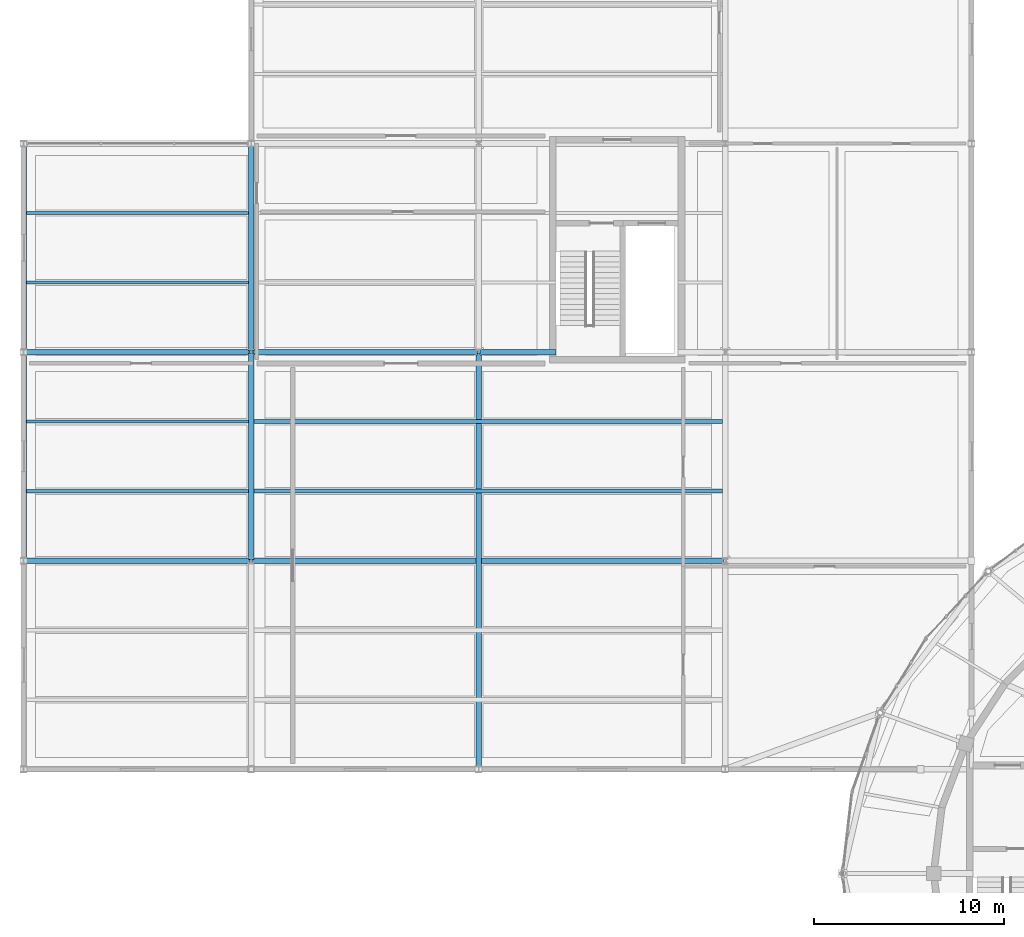
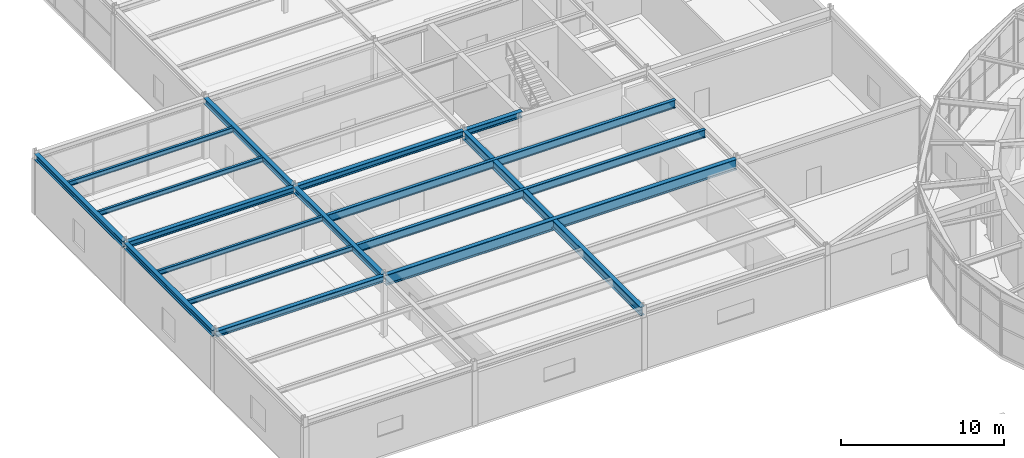
# One storey, part 51 of 108: 16 beams.
"""IFC4 building model written with IfcOpenShell, lengths in metres."""

from ifc_helpers import new_model, si_unit, direction, frame, origin, origin_2d, place, context, subcontext, project, spatial, i_section, extrude, material, material_profile, profile_set, type_object, element, save


model = new_model("IFC4")

# Units and contexts
model_context = context("Model", 3, precision=1e-05, world=origin(), true_north=direction((0.0, 1.0)))
body_context = subcontext(model_context, "Body", "Model", "MODEL_VIEW")
ifc_project = project(units=[si_unit("LENGTHUNIT", "METRE"), si_unit("AREAUNIT", "SQUARE_METRE"), si_unit("VOLUMEUNIT", "CUBIC_METRE"), si_unit("PLANEANGLEUNIT", "RADIAN"), si_unit("MASSUNIT", "GRAM", prefix="KILO")], contexts=[model_context])

# Site, building, storey
site_placement = place(None, origin())
site = spatial("IfcSite", under=ifc_project, at=site_placement, CompositionType="ELEMENT")
building_placement = place(site_placement, origin())
building = spatial("IfcBuilding", under=site, at=building_placement, Name="Tarnveldt Headland Concert Hall", CompositionType="ELEMENT")
storey_placement = place(building_placement, frame((0.0, 0.0, 9.60009765625)))
storey = spatial("IfcBuildingStorey", under=building, at=storey_placement, Name="L02", CompositionType="ELEMENT", Elevation=9.60009765625)

# Beams
ifc_material = material(Name="Steel S355", Category="steel")
ifc_material_profile_1 = material_profile(ifc_material, i_section(OverallWidth=0.300048828125, OverallDepth=0.449951171875, WebThickness=0.013916015625, FlangeThickness=0.02587890625, FilletRadius=0.027099609375, at=origin_2d()), Name="HEB450", Category="steel")
ifc_profile_set_1 = profile_set([ifc_material_profile_1], Name="Steel S355")
beam_type_1 = type_object("IfcBeamType", Name="SB-HEB450", PredefinedType="BEAM", material=ifc_profile_set_1)
for number, where, z_axis, x_axis, name in (
    (1, (7.56005859375, 71.0, 4.324951171875), (1.0, 0.0, 0.0), (0.0, 1.0, 0.0), "Framing beam L02-1169"),
    (2, (7.56005859375, 82.0, 4.324951171875), (1.0, 0.0, 0.0), (0.0, 1.0, 0.0), "Framing beam L02-1171"),
    (3, (19.56005859375, 82.0, 4.324951171875), (1.0, 0.0, 0.0), (0.0, 1.0, 0.0), "Framing beam L02-1172"),
):
    element("IfcBeam", number, at=place(storey_placement, frame(where, z_axis=z_axis, x_axis=x_axis)), inside=storey, type_object=beam_type_1, Name=name, PredefinedType="BEAM", context=body_context, shape_type="SweptSolid", body=[
        extrude(i_section(OverallWidth=0.300048828125, OverallDepth=0.449951171875, WebThickness=0.013916015625, FlangeThickness=0.02587890625, FilletRadius=0.027099609375, at=origin_2d()), origin(), (0.0, 0.0, 1.0), 11.8798828125),
    ])
beam_1_placement = place(storey_placement, frame((31.56005859375, 82.0, 4.324951171875), z_axis=(1.0, 0.0, 0.0), x_axis=(0.0, 1.0, 0.0)))
element("IfcBeam", 4, at=beam_1_placement, inside=storey, type_object=beam_type_1, Name="Framing beam L02-1173", PredefinedType="BEAM", context=body_context, shape_type="SweptSolid", body=[
    extrude(i_section(OverallWidth=0.300048828125, OverallDepth=0.449951171875, WebThickness=0.013916015625, FlangeThickness=0.02587890625, FilletRadius=0.027099609375, at=origin_2d()), origin(), (0.0, 0.0, 1.0), 4.02001953125),
])
for number, where, z_axis, x_axis, name in (
    (5, (7.5, 71.06005859375, 4.324951171875), (0.0, 1.0, 0.0), (-1.0, 0.0, 0.0), "Framing beam L02-1185"),
    (6, (7.5, 82.06005859375, 4.324951171875), (0.0, 1.0, 0.0), (-1.0, 0.0, 0.0), "Framing beam L02-1188"),
    (7, (19.5, 71.06005859375, 4.324951171875), (0.0, 1.0, 0.0), (-1.0, 0.0, 0.0), "Framing beam L02-1194"),
    (8, (19.5, 82.06005859375, 4.324951171875), (0.0, 1.0, 0.0), (-1.0, 0.0, 0.0), "Framing beam L02-1197"),
):
    element("IfcBeam", number, at=place(storey_placement, frame(where, z_axis=z_axis, x_axis=x_axis)), inside=storey, type_object=beam_type_1, Name=name, PredefinedType="BEAM", context=body_context, shape_type="SweptSolid", body=[
        extrude(i_section(OverallWidth=0.300048828125, OverallDepth=0.449951171875, WebThickness=0.013916015625, FlangeThickness=0.02587890625, FilletRadius=0.027099609375, at=origin_2d()), origin(), (0.0, 0.0, 1.0), 10.8798828125),
    ])
ifc_material_profile_2 = material_profile(ifc_material, i_section(OverallWidth=0.300048828125, OverallDepth=0.64990234375, WebThickness=0.01611328125, FlangeThickness=0.031005859375, FilletRadius=0.027099609375, at=origin_2d()), Name="HEB650", Category="steel")
ifc_profile_set_2 = profile_set([ifc_material_profile_2], Name="Steel S355")
beam_type_2 = type_object("IfcBeamType", Name="SB-HEB650", PredefinedType="BEAM", material=ifc_profile_set_2)
beam_2_placement = place(storey_placement, frame((31.5, 60.06005859375, 4.224853515625), z_axis=(0.0, 1.0, 0.0), x_axis=(-1.0, 0.0, 0.0)))
element("IfcBeam", 9, at=beam_2_placement, inside=storey, type_object=beam_type_2, Name="Framing beam L02-1206", PredefinedType="BEAM", context=body_context, shape_type="SweptSolid", body=[
    extrude(i_section(OverallWidth=0.300048828125, OverallDepth=0.64990234375, WebThickness=0.01611328125, FlangeThickness=0.031005859375, FilletRadius=0.027099609375, at=origin_2d()), origin(), (0.0, 0.0, 1.0), 21.8798828125),
])
ifc_material_profile_3 = material_profile(ifc_material, i_section(OverallWidth=0.300048828125, OverallDepth=0.800048828125, WebThickness=0.017578125, FlangeThickness=0.032958984375, FilletRadius=0.030029296875, at=origin_2d()), Name="HEB800", Category="steel")
ifc_profile_set_3 = profile_set([ifc_material_profile_3], Name="Steel S355")
beam_type_3 = type_object("IfcBeamType", Name="SB-HEB800", PredefinedType="BEAM", material=ifc_profile_set_3)
beam_3_placement = place(storey_placement, frame((19.580078125, 71.0, 4.14990234375), z_axis=(1.0, 0.0, 0.0), x_axis=(0.0, 1.0, 0.0)))
element("IfcBeam", 10, at=beam_3_placement, inside=storey, type_object=beam_type_3, Name="Framing beam L02-1170", PredefinedType="BEAM", context=body_context, shape_type="SweptSolid", body=[
    extrude(i_section(OverallWidth=0.300048828125, OverallDepth=0.800048828125, WebThickness=0.017578125, FlangeThickness=0.032958984375, FilletRadius=0.030029296875, at=origin_2d()), origin(), (0.0, 0.0, 1.0), 24.83984375),
])
ifc_material_profile_4 = material_profile(ifc_material, i_section(OverallWidth=0.169921875, OverallDepth=0.360107421875, WebThickness=0.008056640625, FlangeThickness=0.0126953125, FilletRadius=0.01806640625, at=origin_2d()), Name="IPE360", Category="steel")
ifc_profile_set_4 = profile_set([ifc_material_profile_4], Name="Steel S355")
beam_type_4 = type_object("IfcBeamType", Name="SB-IPE360", PredefinedType="JOIST", material=ifc_profile_set_4)
for number, where, z_axis, x_axis, name in (
    (11, (7.64990234375, 74.6669921875, 4.369873046875), (1.0, 0.0, 0.0), (0.0, 1.0, 0.0), "Framing beam L02-1186"),
    (12, (7.64990234375, 78.3330078125, 4.369873046875), (1.0, 0.0, 0.0), (0.0, 1.0, 0.0), "Framing beam L02-1187"),
    (13, (7.64990234375, 85.6669921875, 4.369873046875), (1.0, 0.0, 0.0), (0.0, 1.0, 0.0), "Framing beam L02-1189"),
    (14, (7.64990234375, 89.3330078125, 4.369873046875), (1.0, 0.0, 0.0), (0.0, 1.0, 0.0), "Framing beam L02-1190"),
):
    element("IfcBeam", number, at=place(storey_placement, frame(where, z_axis=z_axis, x_axis=x_axis)), inside=storey, type_object=beam_type_4, Name=name, PredefinedType="JOIST", context=body_context, shape_type="SweptSolid", body=[
        extrude(i_section(OverallWidth=0.169921875, OverallDepth=0.360107421875, WebThickness=0.008056640625, FlangeThickness=0.0126953125, FilletRadius=0.01806640625, at=origin_2d()), origin(), (0.0, 0.0, 1.0), 11.7001953125),
    ])
ifc_material_profile_5 = material_profile(ifc_material, i_section(OverallWidth=0.219970703125, OverallDepth=0.60009765625, WebThickness=0.011962890625, FlangeThickness=0.01904296875, FilletRadius=0.02392578125, at=origin_2d()), Name="IPE600", Category="steel")
ifc_profile_set_5 = profile_set([ifc_material_profile_5], Name="Steel S355")
beam_type_5 = type_object("IfcBeamType", Name="SB-IPE600", PredefinedType="BEAM", material=ifc_profile_set_5)
for number, where, z_axis, x_axis, name in (
    (15, (19.64990234375, 74.6669921875, 4.25), (1.0, 0.0, 0.0), (0.0, 1.0, 0.0), "Framing beam L02-1195"),
    (16, (19.64990234375, 78.3330078125, 4.25), (1.0, 0.0, 0.0), (0.0, 1.0, 0.0), "Framing beam L02-1196"),
):
    element("IfcBeam", number, at=place(storey_placement, frame(where, z_axis=z_axis, x_axis=x_axis)), inside=storey, type_object=beam_type_5, Name=name, PredefinedType="BEAM", context=body_context, shape_type="SweptSolid", body=[
        extrude(i_section(OverallWidth=0.219970703125, OverallDepth=0.60009765625, WebThickness=0.011962890625, FlangeThickness=0.01904296875, FilletRadius=0.02392578125, at=origin_2d()), origin(), (0.0, 0.0, 1.0), 24.7001953125),
    ])

save(model, "model.ifc")
